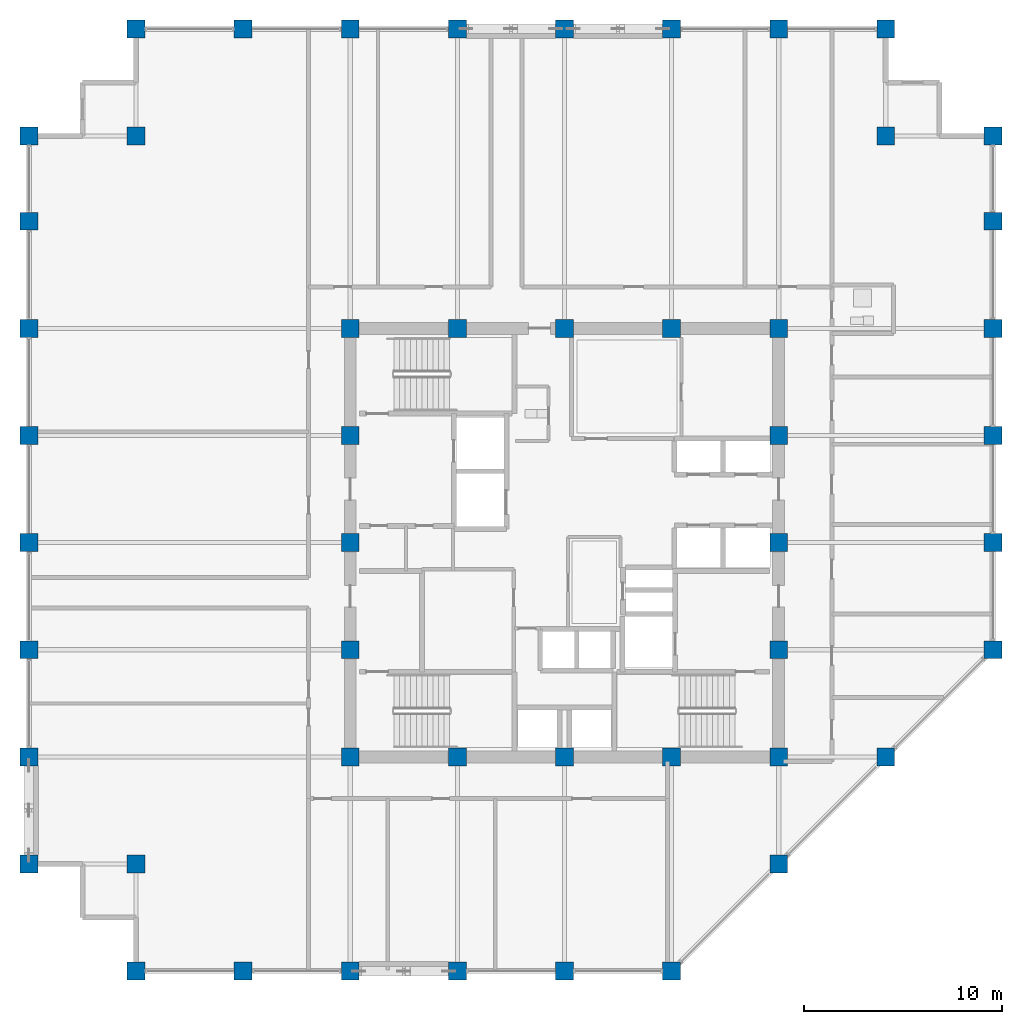
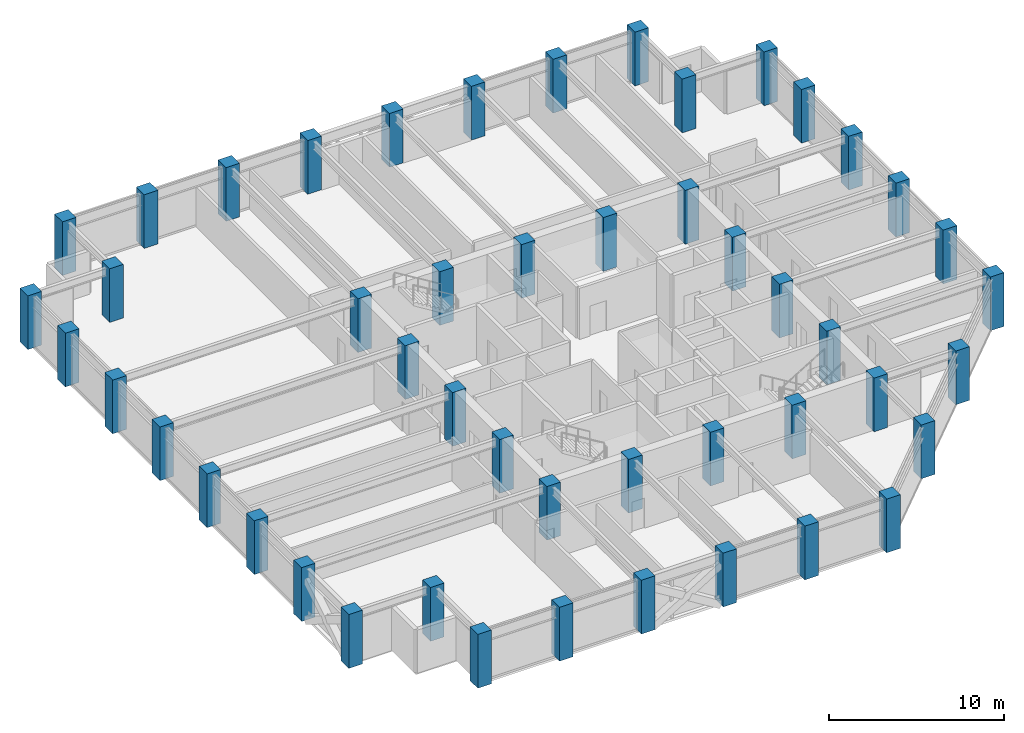
# One storey, part 1 of 32: 49 columns.
"""IFC4 building model written with IfcOpenShell, lengths in metres."""

from ifc_helpers import new_model, si_unit, direction, frame, origin, origin_2d, place, context, subcontext, project, spatial, rectangle, extrude, material, material_profile, profile_set, type_object, element, save


model = new_model("IFC4")

# Units and contexts
model_context = context("Model", 3, precision=1e-05, world=origin(), true_north=direction((0.0, 1.0)))
body_context = subcontext(model_context, "Body", "Model", "MODEL_VIEW")
ifc_project = project(units=[si_unit("LENGTHUNIT", "METRE"), si_unit("AREAUNIT", "SQUARE_METRE"), si_unit("VOLUMEUNIT", "CUBIC_METRE"), si_unit("PLANEANGLEUNIT", "RADIAN"), si_unit("MASSUNIT", "GRAM", prefix="KILO")], contexts=[model_context])

# Site, building, storey
site_placement = place(None, origin())
site = spatial("IfcSite", under=ifc_project, at=site_placement, CompositionType="ELEMENT")
building_placement = place(site_placement, origin())
building = spatial("IfcBuilding", under=site, at=building_placement, Name="Surkhivell Harbour Commons", CompositionType="ELEMENT")
storey_placement = place(building_placement, frame((0.0, 0.0, 204.75)))
storey = spatial("IfcBuildingStorey", under=building, at=storey_placement, Name="L53", CompositionType="ELEMENT", Elevation=204.75)

# Columns
ifc_material = material(Name="Concrete C60/75", Category="concrete")
ifc_material_profile = material_profile(ifc_material, rectangle(XDim=0.89990234375, YDim=0.89990234375, at=origin_2d()), Name="RC-COL-900x900")
ifc_profile_set = profile_set([ifc_material_profile], Name="Concrete C60/75")
column_type = type_object("IfcColumnType", Name="COL-TUBE-Z3A", PredefinedType="COLUMN", material=ifc_profile_set)
for number, where, z_axis, x_axis, name in (
    (1, (-27.0, -16.199951171875, 0.0), (0.0, 0.0, 1.0), (1.0, 0.0, 0.0), "L53 Column CT-3A (-27.0,-16.2)"),
    (2, (-27.0, -10.800048828125, 0.0), (0.0, 0.0, 1.0), (1.0, 0.0, 0.0), "L53 Column CT-3A (-27.0,-10.8)"),
    (3, (-27.0, -5.39990234375, 0.0), (0.0, 0.0, 1.0), (1.0, 0.0, 0.0), "L53 Column CT-3A (-27.0,-5.4)"),
    (4, (-27.0, 0.0, 0.0), (0.0, 0.0, 1.0), (1.0, 0.0, 0.0), "L53 Column CT-3A (-27.0,0.0)"),
    (5, (-27.0, 5.39990234375, 0.0), (0.0, 0.0, 1.0), (1.0, 0.0, 0.0), "L53 Column CT-3A (-27.0,5.4)"),
    (6, (-27.0, 10.800048828125, 0.0), (0.0, 0.0, 1.0), (1.0, 0.0, 0.0), "L53 Column CT-3A (-27.0,10.8)"),
    (7, (-27.0, 16.199951171875, 0.0), (0.0, 0.0, 1.0), (1.0, 0.0, 0.0), "L53 Column CT-3A (-27.0,16.2)"),
    (8, (-27.0, 20.5, 0.0), (0.0, 0.0, 1.0), (1.0, 0.0, 0.0), "L53 Column CT-3A (-27.0,20.5)"),
    (9, (-21.60009765625, -21.60009765625, 0.0), (0.0, 0.0, 1.0), (1.0, 0.0, 0.0), "L53 Column CT-3A (-21.6,-21.6)"),
    (10, (-21.60009765625, -16.199951171875, 0.0), (0.0, 0.0, 1.0), (1.0, 0.0, 0.0), "L53 Column CT-3A (-21.6,-16.2)"),
    (11, (-21.60009765625, 20.5, 0.0), (0.0, 0.0, 1.0), (1.0, 0.0, 0.0), "L53 Column CT-3A (-21.6,20.5)"),
    (12, (-21.60009765625, 25.89990234375, 0.0), (0.0, 0.0, 1.0), (1.0, 0.0, 0.0), "L53 Column CT-3A (-21.6,25.9)"),
    (13, (-16.199951171875, -21.60009765625, 0.0), (0.0, 0.0, 1.0), (1.0, 0.0, 0.0), "L53 Column CT-3A (-16.2,-21.6)"),
    (14, (-16.199951171875, 25.89990234375, 0.0), (0.0, 0.0, 1.0), (1.0, 0.0, 0.0), "L53 Column CT-3A (-16.2,25.9)"),
    (15, (-10.800048828125, -21.60009765625, 0.0), (0.0, 0.0, 1.0), (1.0, 0.0, 0.0), "L53 Column CT-3A (-10.8,-21.6)"),
    (16, (-10.800048828125, -10.800048828125, 0.0), (0.0, 0.0, 1.0), (1.0, 0.0, 0.0), "L53 Column CT-3A (-10.8,-10.8)"),
    (17, (-10.800048828125, -5.39990234375, 0.0), (0.0, 0.0, 1.0), (1.0, 0.0, 0.0), "L53 Column CT-3A (-10.8,-5.4)"),
    (18, (-10.800048828125, 0.0, 0.0), (0.0, 0.0, 1.0), (1.0, 0.0, 0.0), "L53 Column CT-3A (-10.8,0.0)"),
    (19, (-10.800048828125, 5.39990234375, 0.0), (0.0, 0.0, 1.0), (1.0, 0.0, 0.0), "L53 Column CT-3A (-10.8,5.4)"),
    (20, (-10.800048828125, 10.800048828125, 0.0), (0.0, 0.0, 1.0), (1.0, 0.0, 0.0), "L53 Column CT-3A (-10.8,10.8)"),
    (21, (-10.800048828125, 25.89990234375, 0.0), (0.0, 0.0, 1.0), (1.0, 0.0, 0.0), "L53 Column CT-3A (-10.8,25.9)"),
    (22, (-5.39990234375, -21.60009765625, 0.0), (0.0, 0.0, 1.0), (1.0, 0.0, 0.0), "L53 Column CT-3A (-5.4,-21.6)"),
    (23, (-5.39990234375, -10.800048828125, 0.0), (0.0, 0.0, 1.0), (1.0, 0.0, 0.0), "L53 Column CT-3A (-5.4,-10.8)"),
    (24, (-5.39990234375, 10.800048828125, 0.0), (0.0, 0.0, 1.0), (1.0, 0.0, 0.0), "L53 Column CT-3A (-5.4,10.8)"),
    (25, (-5.39990234375, 25.89990234375, 0.0), (0.0, 0.0, 1.0), (1.0, 0.0, 0.0), "L53 Column CT-3A (-5.4,25.9)"),
    (26, (0.0, -21.60009765625, 0.0), (0.0, 0.0, 1.0), (1.0, 0.0, 0.0), "L53 Column CT-3A (-0.0,-21.6)"),
    (27, (0.0, -10.800048828125, 0.0), (0.0, 0.0, 1.0), (1.0, 0.0, 0.0), "L53 Column CT-3A (0.0,-10.8)"),
    (28, (0.0, 10.800048828125, 0.0), (0.0, 0.0, 1.0), (1.0, 0.0, 0.0), "L53 Column CT-3A (0.0,10.8)"),
    (29, (0.0, 25.89990234375, 0.0), (0.0, 0.0, 1.0), (1.0, 0.0, 0.0), "L53 Column CT-3A (-0.0,25.9)"),
    (30, (5.39990234375, -21.60009765625, 0.0), (0.0, 0.0, 1.0), (1.0, 0.0, 0.0), "L53 Column CT-3A (5.4,-21.6)"),
    (31, (5.39990234375, -10.800048828125, 0.0), (0.0, 0.0, 1.0), (1.0, 0.0, 0.0), "L53 Column CT-3A (5.4,-10.8)"),
    (32, (5.39990234375, 10.800048828125, 0.0), (0.0, 0.0, 1.0), (1.0, 0.0, 0.0), "L53 Column CT-3A (5.4,10.8)"),
    (33, (5.39990234375, 25.89990234375, 0.0), (0.0, 0.0, 1.0), (1.0, 0.0, 0.0), "L53 Column CT-3A (5.4,25.9)"),
    (34, (10.800048828125, -16.199951171875, 0.0), (0.0, 0.0, 1.0), (1.0, 0.0, 0.0), "L53 Column CT-3A (10.8,-16.2)"),
    (35, (10.800048828125, -10.800048828125, 0.0), (0.0, 0.0, 1.0), (1.0, 0.0, 0.0), "L53 Column CT-3A (10.8,-10.8)"),
    (36, (10.800048828125, -5.39990234375, 0.0), (0.0, 0.0, 1.0), (1.0, 0.0, 0.0), "L53 Column CT-3A (10.8,-5.4)"),
    (37, (10.800048828125, 0.0, 0.0), (0.0, 0.0, 1.0), (1.0, 0.0, 0.0), "L53 Column CT-3A (10.8,0.0)"),
    (38, (10.800048828125, 5.39990234375, 0.0), (0.0, 0.0, 1.0), (1.0, 0.0, 0.0), "L53 Column CT-3A (10.8,5.4)"),
    (39, (10.800048828125, 10.800048828125, 0.0), (0.0, 0.0, 1.0), (1.0, 0.0, 0.0), "L53 Column CT-3A (10.8,10.8)"),
    (40, (10.800048828125, 25.89990234375, 0.0), (0.0, 0.0, 1.0), (1.0, 0.0, 0.0), "L53 Column CT-3A (10.8,25.9)"),
    (41, (16.199951171875, -10.800048828125, 0.0), (0.0, 0.0, 1.0), (1.0, 0.0, 0.0), "L53 Column CT-3A (16.2,-10.8)"),
    (42, (16.199951171875, 20.5, 0.0), (0.0, 0.0, 1.0), (1.0, 0.0, 0.0), "L53 Column CT-3A (16.2,20.5)"),
    (43, (16.199951171875, 25.89990234375, 0.0), (0.0, 0.0, 1.0), (1.0, 0.0, 0.0), "L53 Column CT-3A (16.2,25.9)"),
    (44, (21.60009765625, -5.39990234375, 0.0), (0.0, 0.0, 1.0), (1.0, 0.0, 0.0), "L53 Column CT-3A (21.6,-5.4)"),
    (45, (21.60009765625, 0.0, 0.0), (0.0, 0.0, 1.0), (1.0, 0.0, 0.0), "L53 Column CT-3A (21.6,0.0)"),
    (46, (21.60009765625, 5.39990234375, 0.0), (0.0, 0.0, 1.0), (1.0, 0.0, 0.0), "L53 Column CT-3A (21.6,5.4)"),
    (47, (21.60009765625, 10.800048828125, 0.0), (0.0, 0.0, 1.0), (1.0, 0.0, 0.0), "L53 Column CT-3A (21.6,10.8)"),
    (48, (21.60009765625, 16.199951171875, 0.0), (0.0, 0.0, 1.0), (1.0, 0.0, 0.0), "L53 Column CT-3A (21.6,16.2)"),
    (49, (21.60009765625, 20.5, 0.0), (0.0, 0.0, 1.0), (1.0, 0.0, 0.0), "L53 Column CT-3A (21.6,20.5)"),
):
    element("IfcColumn", number, at=place(storey_placement, frame(where, z_axis=z_axis, x_axis=x_axis)), inside=storey, type_object=column_type, Name=name, PredefinedType="COLUMN", context=body_context, shape_type="SweptSolid", body=[
        extrude(rectangle(XDim=0.89990234375, YDim=0.89990234375, at=origin_2d()), origin(), (0.0, 0.0, 1.0), 3.75),
    ])

save(model, "model.ifc")
